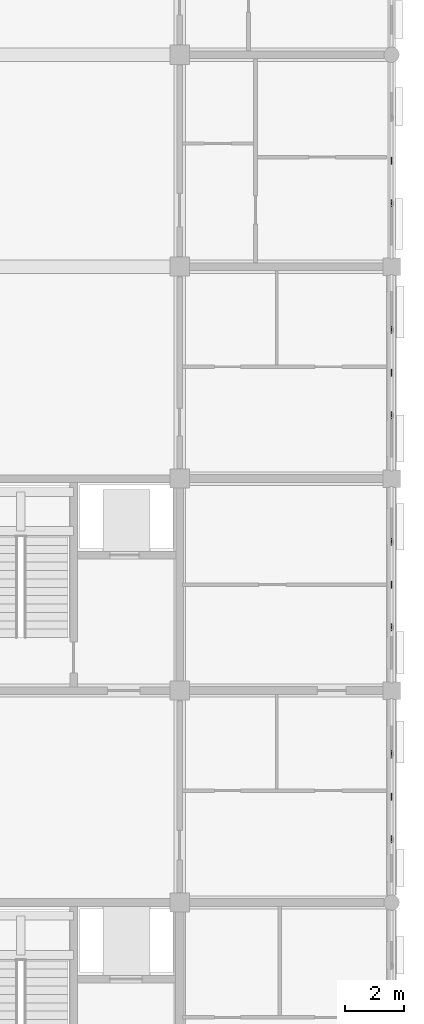
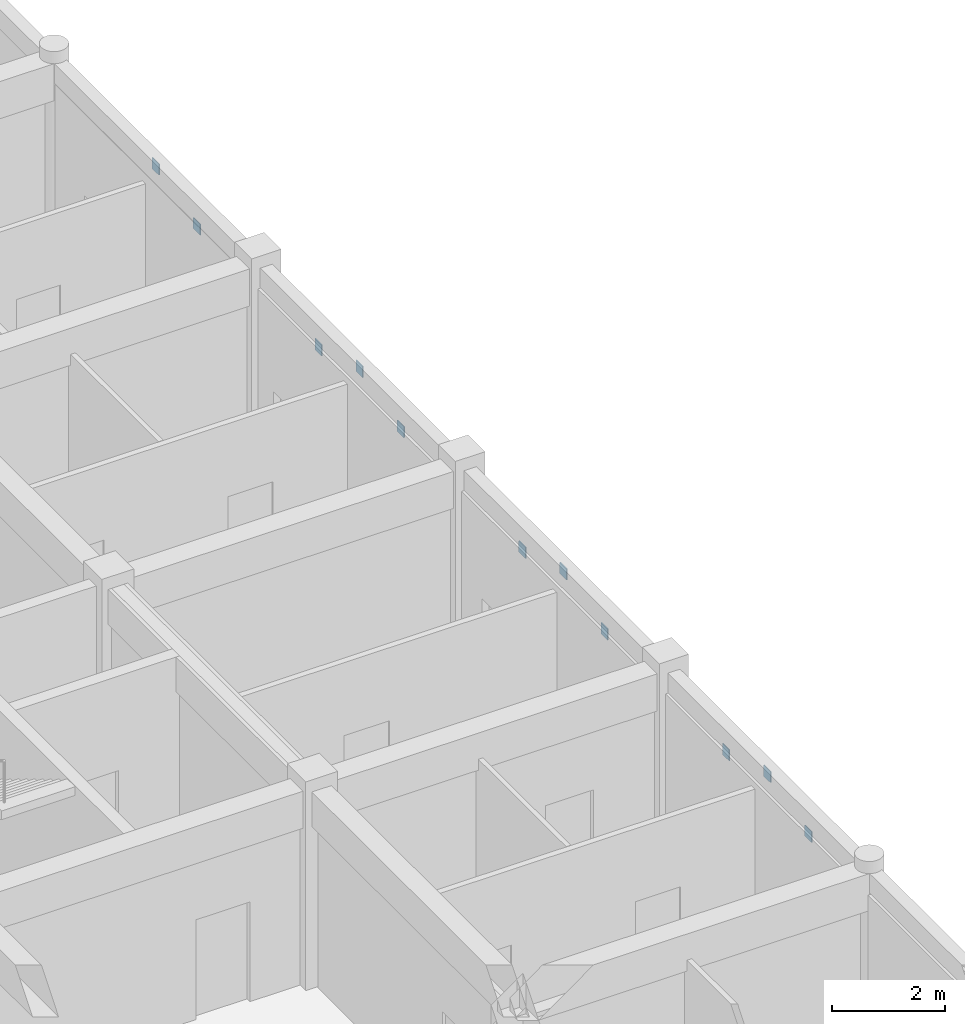
# One storey, part 87 of 138: 11 plates.
"""IFC4 building model written with IfcOpenShell, lengths in metres."""

from ifc_helpers import new_model, si_unit, direction, frame, origin, origin_2d, place, context, subcontext, project, spatial, rectangle, extrude, material, layer, layer_set, type_object, element, save


model = new_model("IFC4")

# Units and contexts
model_context = context("Model", 3, precision=1e-05, world=origin(), true_north=direction((0.0, 1.0)))
body_context = subcontext(model_context, "Body", "Model", "MODEL_VIEW")
ifc_project = project(units=[si_unit("LENGTHUNIT", "METRE"), si_unit("AREAUNIT", "SQUARE_METRE"), si_unit("VOLUMEUNIT", "CUBIC_METRE"), si_unit("PLANEANGLEUNIT", "RADIAN"), si_unit("MASSUNIT", "GRAM", prefix="KILO"), si_unit("THERMODYNAMICTEMPERATUREUNIT", "KELVIN"), si_unit("POWERUNIT", "WATT")], contexts=[model_context])

# Site, building, storey
site_placement = place(None, origin())
site = spatial("IfcSite", under=ifc_project, at=site_placement, CompositionType="ELEMENT")
building_placement = place(site_placement, origin())
building = spatial("IfcBuilding", under=site, at=building_placement, Name="Tavuni Mirador Residences", CompositionType="ELEMENT")
storey_placement = place(building_placement, origin())
storey = spatial("IfcBuildingStorey", under=building, at=storey_placement, Name="L00", CompositionType="ELEMENT", Elevation=0.0)

# Plates
ifc_material = material(Name="Structural steel S355", Category="steel")
ifc_layer = layer(ifc_material, 0.01806640625, Name="Structural steel S355", Category="steel")
ifc_layer_set = layer_set([ifc_layer], Name="Structural steel S355")
plate_type = type_object("IfcPlateType", Name="PLT-GP05", PredefinedType="USERDEFINED", material=ifc_layer_set)
for number, where, z_axis, x_axis, name in (
    (1, (118.800048828125, 102.947998046875, 3.49560546875), (0.0, 0.0, 1.0), (1.0, 0.0, 0.0), "ARCH-BLKD-E-02-GQ1"),
    (2, (118.800048828125, 104.39990234375, 3.91015625), (0.0, 0.0, 1.0), (1.0, 0.0, 0.0), "ARCH-BLKD-E-02-GCR"),
    (3, (118.800048828125, 105.85205078125, 3.49560546875), (0.0, 0.0, 1.0), (1.0, 0.0, 0.0), "ARCH-BLKD-E-02-GQ2"),
    (4, (118.800048828125, 110.14794921875, 3.49560546875), (0.0, 0.0, 1.0), (1.0, 0.0, 0.0), "ARCH-BLKD-E-03-GQ1"),
    (5, (118.800048828125, 111.60009765625, 3.91015625), (0.0, 0.0, 1.0), (1.0, 0.0, 0.0), "ARCH-BLKD-E-03-GCR"),
    (6, (118.800048828125, 113.052001953125, 3.49560546875), (0.0, 0.0, 1.0), (1.0, 0.0, 0.0), "ARCH-BLKD-E-03-GQ2"),
    (7, (118.800048828125, 117.347900390625, 3.49560546875), (0.0, 0.0, 1.0), (1.0, 0.0, 0.0), "ARCH-BLKD-E-04-GQ1"),
    (8, (118.800048828125, 118.800048828125, 3.91015625), (0.0, 0.0, 1.0), (1.0, 0.0, 0.0), "ARCH-BLKD-E-04-GCR"),
    (9, (118.800048828125, 120.251953125, 3.49560546875), (0.0, 0.0, 1.0), (1.0, 0.0, 0.0), "ARCH-BLKD-E-04-GQ2"),
    (10, (118.800048828125, 124.548095703125, 3.49560546875), (0.0, 0.0, 1.0), (1.0, 0.0, 0.0), "ARCH-BLKD-E-05-GQ1"),
    (11, (118.800048828125, 126.0, 3.91015625), (0.0, 0.0, 1.0), (1.0, 0.0, 0.0), "ARCH-BLKD-E-05-GCR"),
):
    element("IfcPlate", number, at=place(storey_placement, frame(where, z_axis=z_axis, x_axis=x_axis)), inside=storey, type_object=plate_type, Name=name, ObjectType="GUSSET PLATE", PredefinedType="USERDEFINED", context=body_context, shape_type="SweptSolid", body=[
        extrude(rectangle(XDim=0.02001953125, YDim=0.239990234375, at=origin_2d()), origin(), (0.0, 0.0, 1.0), 0.239990234375),
    ])

save(model, "model.ifc")
